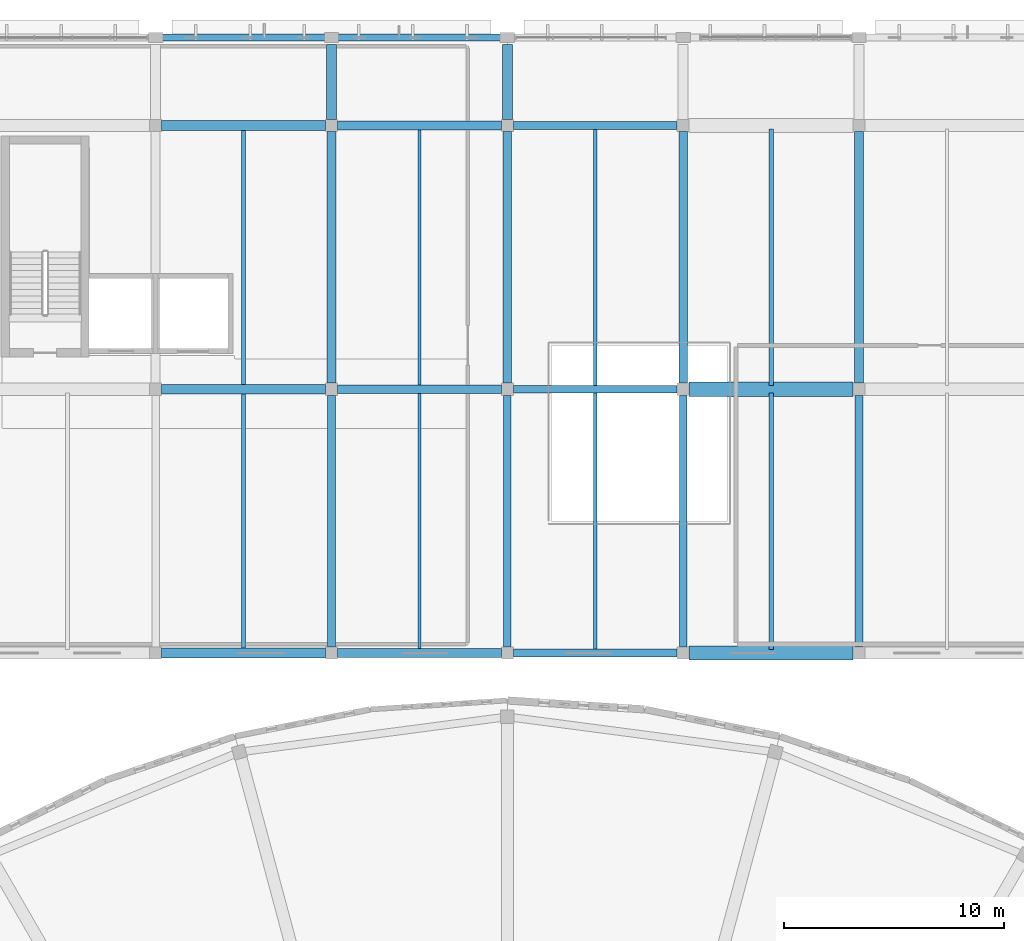
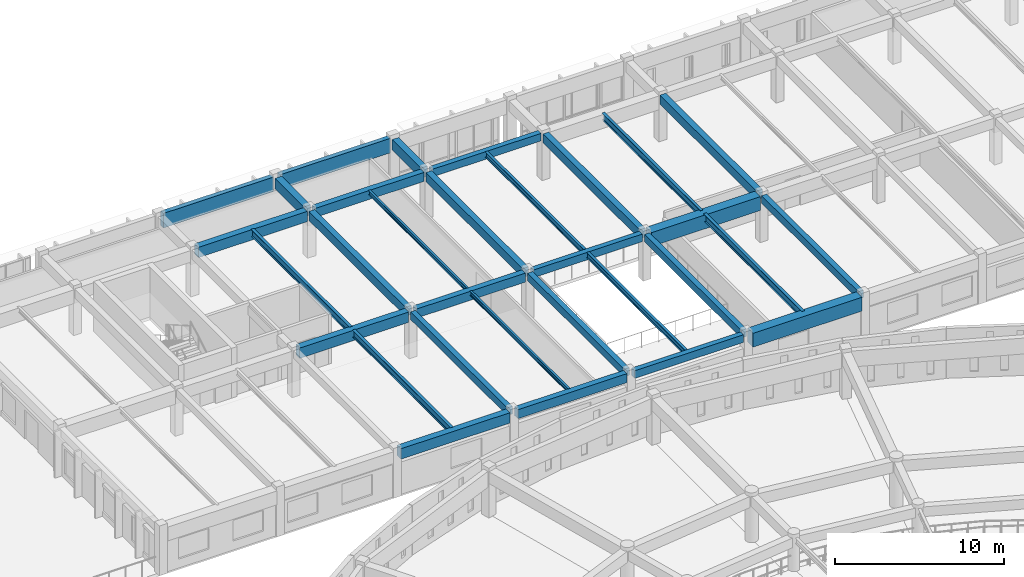
# One storey, part 19 of 155: 31 beams.
"""IFC4 building model written with IfcOpenShell, lengths in metres."""

from ifc_helpers import new_model, si_unit, direction, frame, origin, origin_2d, place, context, subcontext, project, spatial, rectangle, i_section, extrude, material, material_profile, profile_set, type_object, element, save


model = new_model("IFC4")

# Units and contexts
model_context = context("Model", 3, precision=1e-05, world=origin(), true_north=direction((0.0, 1.0)))
body_context = subcontext(model_context, "Body", "Model", "MODEL_VIEW")
ifc_project = project(units=[si_unit("LENGTHUNIT", "METRE"), si_unit("AREAUNIT", "SQUARE_METRE"), si_unit("VOLUMEUNIT", "CUBIC_METRE"), si_unit("PLANEANGLEUNIT", "RADIAN"), si_unit("MASSUNIT", "GRAM", prefix="KILO")], contexts=[model_context])

# Site, building, storey
site_placement = place(None, origin())
site = spatial("IfcSite", under=ifc_project, at=site_placement, CompositionType="ELEMENT")
building_placement = place(site_placement, origin())
building = spatial("IfcBuilding", under=site, at=building_placement, Name="Larkveld Mobility Hub", CompositionType="ELEMENT")
storey_placement = place(building_placement, frame((0.0, 0.0, 8.39990234375)))
storey = spatial("IfcBuildingStorey", under=building, at=storey_placement, Name="L02", CompositionType="ELEMENT", Elevation=8.39990234375)

# Beams
ifc_material_1 = material(Name="Concrete C40/50", Category="concrete")
ifc_material_profile_1 = material_profile(ifc_material_1, rectangle(XDim=0.35009765625, YDim=0.550048828125, at=origin_2d()), Name="RC BM 350x550")
ifc_profile_set_1 = profile_set([ifc_material_profile_1], Name="Concrete C40/50")
beam_type_1 = type_object("IfcBeamType", Name="BM-RC3555", PredefinedType="BEAM", material=ifc_profile_set_1)
for number, where, z_axis, x_axis, name in (
    (1, (48.27490234375, 98.0, 3.085205078125), (1.0, 0.0, 0.0), (0.0, 1.0, 0.0), "Primary E-W Girder L02-0542"),
    (2, (48.27490234375, 110.0, 3.085205078125), (1.0, 0.0, 0.0), (0.0, 1.0, 0.0), "Primary E-W Girder L02-0560"),
    (3, (48.27490234375, 122.0, 3.085205078125), (1.0, 0.0, 0.0), (0.0, 1.0, 0.0), "Primary E-W Girder L02-0574"),
):
    element("IfcBeam", number, at=place(storey_placement, frame(where, z_axis=z_axis, x_axis=x_axis)), inside=storey, type_object=beam_type_1, Name=name, PredefinedType="BEAM", context=body_context, shape_type="SweptSolid", body=[
        extrude(rectangle(XDim=0.35009765625, YDim=0.550048828125, at=origin_2d()), origin(), (0.0, 0.0, 1.0), 7.4501953125),
    ])
for number, where, z_axis, x_axis, name in (
    (4, (40.0, 98.27490234375, 3.085205078125), (0.0, 1.0, 0.0), (-1.0, 0.0, 0.0), "Primary N-S Girder L02-0595"),
    (5, (48.0, 98.27490234375, 3.085205078125), (0.0, 1.0, 0.0), (-1.0, 0.0, 0.0), "Primary N-S Girder L02-0598"),
    (6, (56.0, 98.27490234375, 3.085205078125), (0.0, 1.0, 0.0), (-1.0, 0.0, 0.0), "Primary N-S Girder L02-0601"),
    (7, (64.0, 98.27490234375, 3.085205078125), (0.0, 1.0, 0.0), (-1.0, 0.0, 0.0), "Primary N-S Girder L02-0604"),
):
    element("IfcBeam", number, at=place(storey_placement, frame(where, z_axis=z_axis, x_axis=x_axis)), inside=storey, type_object=beam_type_1, Name=name, PredefinedType="BEAM", context=body_context, shape_type="SweptSolid", body=[
        extrude(rectangle(XDim=0.35009765625, YDim=0.550048828125, at=origin_2d()), origin(), (0.0, 0.0, 1.0), 11.4501953125),
    ])
ifc_material_profile_2 = material_profile(ifc_material_1, rectangle(XDim=0.39990234375, YDim=0.64990234375, at=origin_2d()), Name="RC BM 400x650")
ifc_profile_set_2 = profile_set([ifc_material_profile_2], Name="Concrete C40/50")
beam_type_2 = type_object("IfcBeamType", Name="BM-RC4065", PredefinedType="BEAM", material=ifc_profile_set_2)
for number, where, z_axis, x_axis, name in (
    (8, (40.27490234375, 98.0, 3.03515625), (1.0, 0.0, 0.0), (0.0, 1.0, 0.0), "Primary E-W Girder L02-0541"),
    (9, (40.27490234375, 110.0, 3.03515625), (1.0, 0.0, 0.0), (0.0, 1.0, 0.0), "Primary E-W Girder L02-0559"),
    (10, (40.27490234375, 122.0, 3.03515625), (1.0, 0.0, 0.0), (0.0, 1.0, 0.0), "Primary E-W Girder L02-0573"),
):
    element("IfcBeam", number, at=place(storey_placement, frame(where, z_axis=z_axis, x_axis=x_axis)), inside=storey, type_object=beam_type_2, Name=name, PredefinedType="BEAM", context=body_context, shape_type="SweptSolid", body=[
        extrude(rectangle(XDim=0.39990234375, YDim=0.64990234375, at=origin_2d()), origin(), (0.0, 0.0, 1.0), 7.4501953125),
    ])
for number, where, z_axis, x_axis, name in (
    (11, (40.0, 110.27490234375, 3.03515625), (0.0, 1.0, 0.0), (-1.0, 0.0, 0.0), "Primary N-S Girder L02-0596"),
    (12, (48.0, 110.27490234375, 3.03515625), (0.0, 1.0, 0.0), (-1.0, 0.0, 0.0), "Primary N-S Girder L02-0599"),
    (13, (56.0, 110.27490234375, 3.03515625), (0.0, 1.0, 0.0), (-1.0, 0.0, 0.0), "Primary N-S Girder L02-0602"),
    (14, (64.0, 110.27490234375, 3.03515625), (0.0, 1.0, 0.0), (-1.0, 0.0, 0.0), "Primary N-S Girder L02-0605"),
):
    element("IfcBeam", number, at=place(storey_placement, frame(where, z_axis=z_axis, x_axis=x_axis)), inside=storey, type_object=beam_type_2, Name=name, PredefinedType="BEAM", context=body_context, shape_type="SweptSolid", body=[
        extrude(rectangle(XDim=0.39990234375, YDim=0.64990234375, at=origin_2d()), origin(), (0.0, 0.0, 1.0), 11.4501953125),
    ])
ifc_material_profile_3 = material_profile(ifc_material_1, rectangle(XDim=0.449951171875, YDim=0.75, at=origin_2d()), Name="RC BM 450x750")
ifc_profile_set_3 = profile_set([ifc_material_profile_3], Name="Concrete C40/50")
beam_type_3 = type_object("IfcBeamType", Name="BM-RC4575", PredefinedType="BEAM", material=ifc_profile_set_3)
for number, where, z_axis, x_axis, name in (
    (15, (32.27490234375, 98.0, 2.985107421875), (1.0, 0.0, 0.0), (0.0, 1.0, 0.0), "Primary E-W Girder L02-0540"),
    (16, (32.27490234375, 110.0, 2.985107421875), (1.0, 0.0, 0.0), (0.0, 1.0, 0.0), "Primary E-W Girder L02-0558"),
    (17, (32.27490234375, 122.0, 2.985107421875), (1.0, 0.0, 0.0), (0.0, 1.0, 0.0), "Primary E-W Girder L02-0572"),
):
    element("IfcBeam", number, at=place(storey_placement, frame(where, z_axis=z_axis, x_axis=x_axis)), inside=storey, type_object=beam_type_3, Name=name, PredefinedType="BEAM", context=body_context, shape_type="SweptSolid", body=[
        extrude(rectangle(XDim=0.449951171875, YDim=0.75, at=origin_2d()), origin(), (0.0, 0.0, 1.0), 7.4501953125),
    ])
for number, where, z_axis, x_axis, name in (
    (18, (40.0, 122.27490234375, 2.985107421875), (0.0, 1.0, 0.0), (-1.0, 0.0, 0.0), "Primary N-S Girder L02-0597"),
    (19, (48.0, 122.27490234375, 2.985107421875), (0.0, 1.0, 0.0), (-1.0, 0.0, 0.0), "Primary N-S Girder L02-0600"),
):
    element("IfcBeam", number, at=place(storey_placement, frame(where, z_axis=z_axis, x_axis=x_axis)), inside=storey, type_object=beam_type_3, Name=name, PredefinedType="BEAM", context=body_context, shape_type="SweptSolid", body=[
        extrude(rectangle(XDim=0.449951171875, YDim=0.75, at=origin_2d()), origin(), (0.0, 0.0, 1.0), 3.400146484375),
    ])
ifc_material_profile_4 = material_profile(ifc_material_1, rectangle(XDim=0.64990234375, YDim=1.0, at=origin_2d()), Name="RC BM 650x1000")
ifc_profile_set_4 = profile_set([ifc_material_profile_4], Name="Concrete C40/50")
beam_type_4 = type_object("IfcBeamType", Name="BM-RC65100", PredefinedType="BEAM", material=ifc_profile_set_4)
for number, where, z_axis, x_axis, name in (
    (20, (56.27490234375, 98.0, 2.860107421875), (1.0, 0.0, 0.0), (0.0, 1.0, 0.0), "Primary E-W Girder L02-0543"),
    (21, (56.27490234375, 110.0, 2.860107421875), (1.0, 0.0, 0.0), (0.0, 1.0, 0.0), "Primary E-W Girder L02-0561"),
):
    element("IfcBeam", number, at=place(storey_placement, frame(where, z_axis=z_axis, x_axis=x_axis)), inside=storey, type_object=beam_type_4, Name=name, PredefinedType="BEAM", context=body_context, shape_type="SweptSolid", body=[
        extrude(rectangle(XDim=0.64990234375, YDim=1.0, at=origin_2d()), origin(), (0.0, 0.0, 1.0), 7.4501953125),
    ])
ifc_material_2 = material(Name="Precast concrete C50/60", Category="concrete")
ifc_material_profile_5 = material_profile(ifc_material_2, rectangle(XDim=0.320068359375, YDim=1.050048828125, at=origin_2d()), Name="PC SP 320x1050")
ifc_profile_set_5 = profile_set([ifc_material_profile_5], Name="Precast concrete C50/60")
beam_type_5 = type_object("IfcBeamType", Name="BM-SP32105", PredefinedType="SPANDREL", material=ifc_profile_set_5)
for number, where, z_axis, x_axis, name in (
    (22, (32.22509765625, 126.0, 2.835205078125), (1.0, 0.0, 0.0), (0.0, 1.0, 0.0), "Primary E-W Girder L02-0581"),
    (23, (40.22509765625, 126.0, 2.835205078125), (1.0, 0.0, 0.0), (0.0, 1.0, 0.0), "Primary E-W Girder L02-0582"),
):
    element("IfcBeam", number, at=place(storey_placement, frame(where, z_axis=z_axis, x_axis=x_axis)), inside=storey, type_object=beam_type_5, Name=name, PredefinedType="SPANDREL", context=body_context, shape_type="SweptSolid", body=[
        extrude(rectangle(XDim=0.320068359375, YDim=1.050048828125, at=origin_2d()), origin(), (0.0, 0.0, 1.0), 7.5498046875),
    ])
ifc_material_3 = material(Name="Steel S355JR", Category="steel")
ifc_material_profile_6 = material_profile(ifc_material_3, i_section(OverallWidth=0.14990234375, OverallDepth=0.300048828125, WebThickness=0.007080078125, FlangeThickness=0.0107421875, FilletRadius=0.014892578125, at=origin_2d()), Name="IPE 300")
ifc_profile_set_6 = profile_set([ifc_material_profile_6], Name="Steel S355JR")
beam_type_6 = type_object("IfcBeamType", Name="BM-STIPE300", PredefinedType="BEAM", material=ifc_profile_set_6)
for number, where, z_axis, x_axis, name in (
    (24, (44.0, 98.169921875, 3.22021484375), (0.0, 1.0, 0.0), (-1.0, 0.0, 0.0), "Bicycle Hall Secondary Beam L02-1205"),
    (25, (44.0, 110.169921875, 3.22021484375), (0.0, 1.0, 0.0), (-1.0, 0.0, 0.0), "Bicycle Hall Secondary Beam L02-1206"),
):
    element("IfcBeam", number, at=place(storey_placement, frame(where, z_axis=z_axis, x_axis=x_axis)), inside=storey, type_object=beam_type_6, Name=name, PredefinedType="BEAM", context=body_context, shape_type="SweptSolid", body=[
        extrude(i_section(OverallWidth=0.14990234375, OverallDepth=0.300048828125, WebThickness=0.007080078125, FlangeThickness=0.0107421875, FilletRadius=0.014892578125, at=origin_2d()), origin(), (0.0, 0.0, 1.0), 11.66015625),
    ])
ifc_material_profile_7 = material_profile(ifc_material_3, i_section(OverallWidth=0.179931640625, OverallDepth=0.39990234375, WebThickness=0.008544921875, FlangeThickness=0.013427734375, FilletRadius=0.02099609375, at=origin_2d()), Name="IPE 400")
ifc_profile_set_7 = profile_set([ifc_material_profile_7], Name="Steel S355JR")
beam_type_7 = type_object("IfcBeamType", Name="BM-STIPE400", PredefinedType="BEAM", material=ifc_profile_set_7)
for number, where, z_axis, x_axis, name in (
    (26, (52.0, 98.169921875, 3.170166015625), (0.0, 1.0, 0.0), (-1.0, 0.0, 0.0), "Bicycle Hall Secondary Beam L02-1207"),
    (27, (52.0, 110.169921875, 3.170166015625), (0.0, 1.0, 0.0), (-1.0, 0.0, 0.0), "Bicycle Hall Secondary Beam L02-1208"),
):
    element("IfcBeam", number, at=place(storey_placement, frame(where, z_axis=z_axis, x_axis=x_axis)), inside=storey, type_object=beam_type_7, Name=name, PredefinedType="BEAM", context=body_context, shape_type="SweptSolid", body=[
        extrude(i_section(OverallWidth=0.179931640625, OverallDepth=0.39990234375, WebThickness=0.008544921875, FlangeThickness=0.013427734375, FilletRadius=0.02099609375, at=origin_2d()), origin(), (0.0, 0.0, 1.0), 11.66015625),
    ])
ifc_material_profile_8 = material_profile(ifc_material_3, i_section(OverallWidth=0.199951171875, OverallDepth=0.5, WebThickness=0.01025390625, FlangeThickness=0.01611328125, FilletRadius=0.02099609375, at=origin_2d()), Name="IPE 500")
ifc_profile_set_8 = profile_set([ifc_material_profile_8], Name="Steel S355JR")
beam_type_8 = type_object("IfcBeamType", Name="BM-STIPE500", PredefinedType="BEAM", material=ifc_profile_set_8)
for number, where, z_axis, x_axis, name in (
    (28, (36.0, 98.169921875, 3.1201171875), (0.0, 1.0, 0.0), (-1.0, 0.0, 0.0), "Bicycle Hall Secondary Beam L02-1203"),
    (29, (36.0, 110.169921875, 3.1201171875), (0.0, 1.0, 0.0), (-1.0, 0.0, 0.0), "Bicycle Hall Secondary Beam L02-1204"),
    (30, (60.0, 98.169921875, 3.1201171875), (0.0, 1.0, 0.0), (-1.0, 0.0, 0.0), "Bicycle Hall Secondary Beam L02-1209"),
    (31, (60.0, 110.169921875, 3.1201171875), (0.0, 1.0, 0.0), (-1.0, 0.0, 0.0), "Bicycle Hall Secondary Beam L02-1210"),
):
    element("IfcBeam", number, at=place(storey_placement, frame(where, z_axis=z_axis, x_axis=x_axis)), inside=storey, type_object=beam_type_8, Name=name, PredefinedType="BEAM", context=body_context, shape_type="SweptSolid", body=[
        extrude(i_section(OverallWidth=0.199951171875, OverallDepth=0.5, WebThickness=0.01025390625, FlangeThickness=0.01611328125, FilletRadius=0.02099609375, at=origin_2d()), origin(), (0.0, 0.0, 1.0), 11.66015625),
    ])

save(model, "model.ifc")
